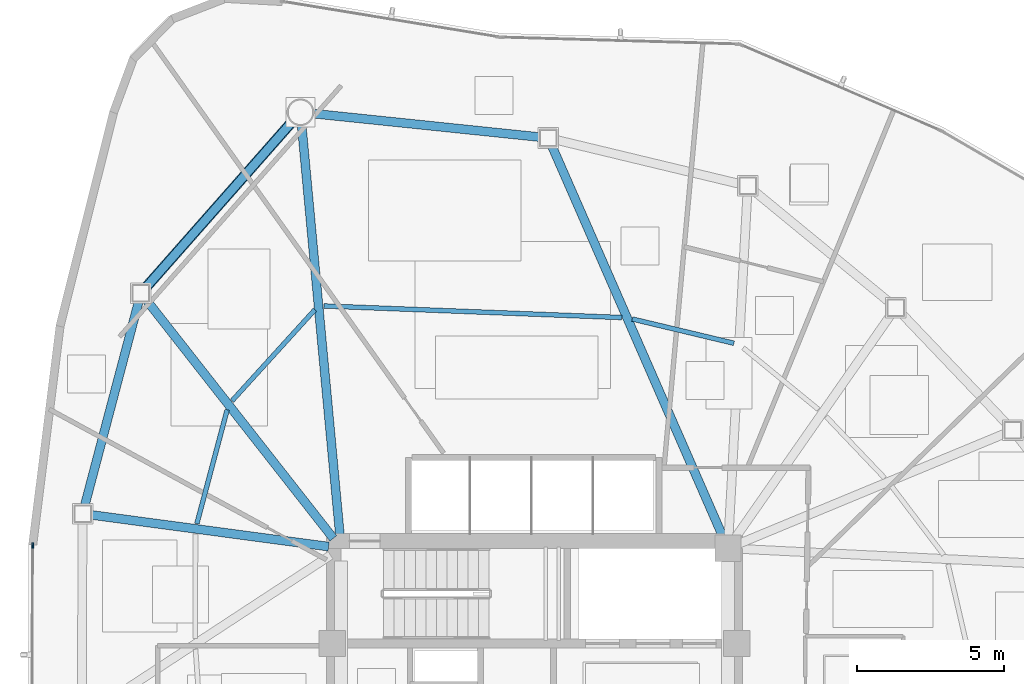
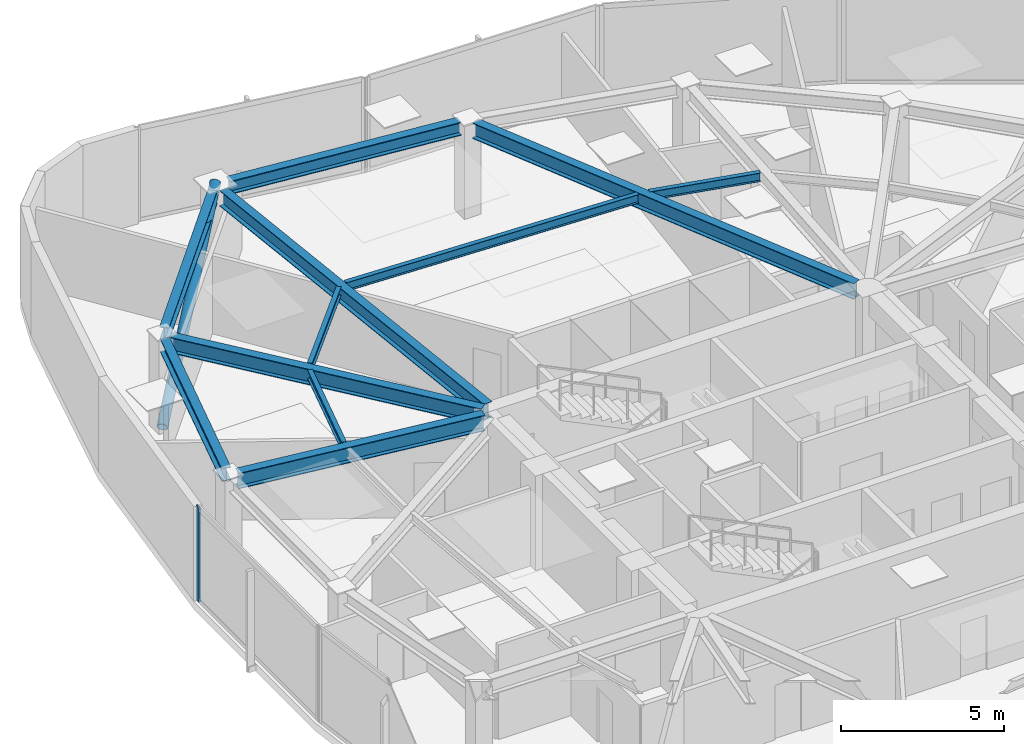
# One storey, part 7 of 18: 11 beams, 2 members, 1 element without a shape of its own.
"""IFC4 building model written with IfcOpenShell, lengths in metres."""

from ifc_helpers import new_model, si_unit, direction, frame, origin, origin_2d, place, context, subcontext, project, spatial, hollow_rectangle, hollow_circle, i_section, extrude, source, transform, mapped, material, layer, layer_set, material_profile, profile_set, type_object, type_shapes, element, aggregate, save


model = new_model("IFC4")

# Units and contexts
model_context = context("Model", 3, precision=1e-05, world=origin(), true_north=direction((0.0, 1.0)))
body_context = subcontext(model_context, "Body", "Model", "MODEL_VIEW")
ifc_project = project(units=[si_unit("LENGTHUNIT", "METRE"), si_unit("AREAUNIT", "SQUARE_METRE"), si_unit("VOLUMEUNIT", "CUBIC_METRE"), si_unit("PLANEANGLEUNIT", "RADIAN"), si_unit("MASSUNIT", "GRAM", prefix="KILO")], contexts=[model_context])

# Site, building, storey
site_placement = place(None, origin())
site = spatial("IfcSite", under=ifc_project, at=site_placement, CompositionType="ELEMENT")
building_placement = place(site_placement, origin())
building = spatial("IfcBuilding", under=site, at=building_placement, Name="Tavelor Broadcast Tower", CompositionType="ELEMENT")
storey_placement = place(building_placement, frame((0.0, 0.0, 173.35009765625)))
storey = spatial("IfcBuildingStorey", under=building, at=storey_placement, Name="L41", CompositionType="ELEMENT", Elevation=173.35009765625)

# Beams
ifc_material_1 = material(Name="Steel S355", Category="steel")
ifc_material_profile_1 = material_profile(ifc_material_1, i_section(OverallWidth=0.159912109375, OverallDepth=0.330078125, WebThickness=0.007568359375, FlangeThickness=0.011474609375, at=origin_2d()), Name="IPE 330")
ifc_profile_set_1 = profile_set([ifc_material_profile_1], Name="Steel S355")
beam_type_1 = type_object("IfcBeamType", Name="Composite Floor Joist T4 IPE 330", PredefinedType="JOIST", material=ifc_profile_set_1)
beam_1_placement = place(storey_placement, frame((42.505615234375, 59.343505859375, 3.385009765625), z_axis=(-0.672852052716, -0.739777071256, 0.0), x_axis=(0.739777071256, -0.672852052716, 0.0)))
element("IfcBeam", 1, at=beam_1_placement, inside=storey, type_object=beam_type_1, Name="L41 Secondary Composite Floor Joist 01", PredefinedType="JOIST", context=body_context, shape_type="SweptSolid", body=[
    extrude(i_section(OverallWidth=0.159912109375, OverallDepth=0.330078125, WebThickness=0.007568359375, FlangeThickness=0.011474609375, at=origin_2d()), origin(), (0.0, 0.0, 1.0), 4.202392578125),
])
beam_2_placement = place(storey_placement, frame((39.509521484375, 55.92578125, 3.385009765625), z_axis=(-0.256963595852, -0.966421083383, 0.0), x_axis=(0.966421083383, -0.256963595852, 0.0)))
element("IfcBeam", 2, at=beam_2_placement, inside=storey, type_object=beam_type_1, Name="L41 Secondary Composite Floor Joist 02", PredefinedType="JOIST", context=body_context, shape_type="SweptSolid", body=[
    extrude(i_section(OverallWidth=0.159912109375, OverallDepth=0.330078125, WebThickness=0.007568359375, FlangeThickness=0.011474609375, at=origin_2d()), origin(), (0.0, 0.0, 1.0), 4.021728515625),
])
beam_3_placement = place(storey_placement, frame((56.804443359375, 58.197021484375, 3.385009765625), z_axis=(-0.972674676245, 0.232172294196, 0.0), x_axis=(-0.232172294196, -0.972674676245, 0.0)))
element("IfcBeam", 3, at=beam_3_placement, inside=storey, type_object=beam_type_1, Name="L41 Secondary Composite Floor Joist 17", PredefinedType="JOIST", context=body_context, shape_type="SweptSolid", body=[
    extrude(i_section(OverallWidth=0.159912109375, OverallDepth=0.330078125, WebThickness=0.007568359375, FlangeThickness=0.011474609375, at=origin_2d()), origin(), (0.0, 0.0, 1.0), 3.56884765625),
])
beam_4_placement = place(storey_placement, frame((52.976318359375, 59.07470703125, 3.385009765625), z_axis=(-0.999243420365, 0.038891989637, 0.0), x_axis=(-0.038891989637, -0.999243420365, 0.0)))
element("IfcBeam", 4, at=beam_4_placement, inside=storey, type_object=beam_type_1, Name="L41 Secondary Composite Floor Joist 18", PredefinedType="JOIST", context=body_context, shape_type="SweptSolid", body=[
    extrude(i_section(OverallWidth=0.159912109375, OverallDepth=0.330078125, WebThickness=0.007568359375, FlangeThickness=0.011474609375, at=origin_2d()), origin(), (0.0, 0.0, 1.0), 10.17578125),
])
ifc_material_profile_2 = material_profile(ifc_material_1, i_section(OverallWidth=0.300048828125, OverallDepth=0.5, WebThickness=0.014404296875, FlangeThickness=0.028076171875, at=origin_2d()), Name="HEB 500")
ifc_profile_set_2 = profile_set([ifc_material_profile_2], Name="Steel S355")
beam_type_2 = type_object("IfcBeamType", Name="Perimeter Spandrel Beam T4 HEB 500", PredefinedType="SPANDREL", material=ifc_profile_set_2)
beam_5_placement = place(storey_placement, frame((41.720947265625, 65.7509765625, 3.2998046875), z_axis=(-0.661625943185, -0.749834055845, 0.0), x_axis=(0.749834055845, -0.661625943185, 0.0)))
element("IfcBeam", 5, at=beam_5_placement, inside=storey, type_object=beam_type_2, Name="L41 Framed-Tube Ring Spandrel 01", PredefinedType="SPANDREL", context=body_context, shape_type="SweptSolid", body=[
    extrude(i_section(OverallWidth=0.300048828125, OverallDepth=0.5, WebThickness=0.014404296875, FlangeThickness=0.028076171875, at=origin_2d()), origin(), (0.0, 0.0, 1.0), 7.500732421875),
])
beam_6_placement = place(storey_placement, frame((36.493896484375, 59.63232421875, 3.2998046875), z_axis=(-0.255762341211, -0.96673968824, 0.0), x_axis=(0.96673968824, -0.255762341211, 0.0)))
element("IfcBeam", 6, at=beam_6_placement, inside=storey, type_object=beam_type_2, Name="L41 Framed-Tube Ring Spandrel 02", PredefinedType="SPANDREL", context=body_context, shape_type="SweptSolid", body=[
    extrude(i_section(OverallWidth=0.300048828125, OverallDepth=0.5, WebThickness=0.014404296875, FlangeThickness=0.028076171875, at=origin_2d()), origin(), (0.0, 0.0, 1.0), 7.214599609375),
])
beam_7_placement = place(storey_placement, frame((50.18603515625, 65.23193359375, 3.2998046875), z_axis=(-0.99466284774, 0.103178579783, 0.0), x_axis=(-0.103178579783, -0.99466284774, 0.0)))
element("IfcBeam", 7, at=beam_7_placement, inside=storey, type_object=beam_type_2, Name="L41 Framed-Tube Ring Spandrel 18", PredefinedType="SPANDREL", context=body_context, shape_type="SweptSolid", body=[
    extrude(i_section(OverallWidth=0.300048828125, OverallDepth=0.5, WebThickness=0.014404296875, FlangeThickness=0.028076171875, at=origin_2d()), origin(), (0.0, 0.0, 1.0), 7.780029296875),
])

# Member
ifc_material_profile_3 = material_profile(ifc_material_1, hollow_circle(Radius=0.177734375, WallThickness=0.01611328125, at=origin_2d()), Name="CHS 355.6x16")
ifc_profile_set_3 = profile_set([ifc_material_profile_3], Name="Steel S355")
member_type_1 = type_object("IfcMemberType", Name="Perimeter Tube Brace T4 CHS 355.6x16", PredefinedType="BRACE", material=ifc_profile_set_3)
member_1_placement = place(storey_placement, frame((36.567626953125, 59.91064453125, 0.0), z_axis=(0.607491147602, 0.688491783644, 0.396148418448), x_axis=(-0.74983872131, 0.661620655681, 0.0)))
element("IfcMember", 8, at=member_1_placement, inside=storey, type_object=member_type_1, Name="L41 Corner Tube Diagonal Brace 1", PredefinedType="BRACE", context=body_context, shape_type="SweptSolid", body=[
    extrude(hollow_circle(Radius=0.177734375, WallThickness=0.01611328125, at=origin_2d()), origin(), (0.0, 0.0, 1.0), 8.960693359375),
])

# Beams
ifc_material_profile_4 = material_profile(ifc_material_1, i_section(OverallWidth=0.300048828125, OverallDepth=0.590087890625, WebThickness=0.012939453125, FlangeThickness=0.02490234375, at=origin_2d()), Name="HEA 600")
ifc_profile_set_4 = profile_set([ifc_material_profile_4], Name="Steel S355")
beam_type_3 = type_object("IfcBeamType", Name="Radial Floor Girder T4 HEA 600", PredefinedType="BEAM", material=ifc_profile_set_4)
beam_8_placement = place(storey_placement, frame((43.35986328125, 51.630126953125, 3.2548828125), z_axis=(-0.092926929372, 0.995672931136, 0.0), x_axis=(-0.995672931136, -0.092926929372, 0.0)))
element("IfcBeam", 9, at=beam_8_placement, inside=storey, type_object=beam_type_3, Name="L41 Radial Primary Floor Girder 01", PredefinedType="BEAM", context=body_context, shape_type="SweptSolid", body=[
    extrude(i_section(OverallWidth=0.300048828125, OverallDepth=0.590087890625, WebThickness=0.012939453125, FlangeThickness=0.02490234375, at=origin_2d()), origin(), (0.0, 0.0, 1.0), 14.073974609375),
])
beam_9_placement = place(storey_placement, frame((43.13330078125, 51.539794921875, 3.2548828125), z_axis=(-0.617155684101, 0.786841065007, 0.0), x_axis=(-0.786841065007, -0.617155684101, 0.0)))
element("IfcBeam", 10, at=beam_9_placement, inside=storey, type_object=beam_type_3, Name="L41 Radial Primary Floor Girder 02", PredefinedType="BEAM", context=body_context, shape_type="SweptSolid", body=[
    extrude(i_section(OverallWidth=0.300048828125, OverallDepth=0.590087890625, WebThickness=0.012939453125, FlangeThickness=0.02490234375, at=origin_2d()), origin(), (0.0, 0.0, 1.0), 10.3505859375),
])
beam_10_placement = place(storey_placement, frame((42.9716796875, 51.257080078125, 3.2548828125), z_axis=(-0.991183810809, 0.132493974169, 0.0), x_axis=(-0.132493974169, -0.991183810809, 0.0)))
element("IfcBeam", 11, at=beam_10_placement, inside=storey, type_object=beam_type_3, Name="L41 Radial Primary Floor Girder 03", PredefinedType="BEAM", context=body_context, shape_type="SweptSolid", body=[
    extrude(i_section(OverallWidth=0.300048828125, OverallDepth=0.590087890625, WebThickness=0.012939453125, FlangeThickness=0.02490234375, at=origin_2d()), origin(), (0.0, 0.0, 1.0), 8.183349609375),
])
beam_11_placement = place(storey_placement, frame((56.4267578125, 51.595703125, 3.2548828125), z_axis=(-0.4008997337, 0.916121937036, 0.0), x_axis=(-0.916121937036, -0.4008997337, 0.0)))
element("IfcBeam", 12, at=beam_11_placement, inside=storey, type_object=beam_type_3, Name="L41 Radial Primary Floor Girder 18", PredefinedType="BEAM", context=body_context, shape_type="SweptSolid", body=[
    extrude(i_section(OverallWidth=0.300048828125, OverallDepth=0.590087890625, WebThickness=0.012939453125, FlangeThickness=0.02490234375, at=origin_2d()), origin(), (0.0, 0.0, 1.0), 14.564453125),
])

# Curtain wall, member
ifc_material_2 = material(Name="Architectural Anodized Aluminium", Category="aluminium")
ifc_layer = layer(ifc_material_2, 0.18994140625)
ifc_layer_set = layer_set([ifc_layer], Name="Architectural Anodized Aluminium")
curtain_wall_type = type_object("IfcCurtainWallType", Name="Tower Mid-Zone Acoustic Curtain Wall CW03", PredefinedType="NOTDEFINED", material=ifc_layer_set)
curtain_wall_placement = place(storey_placement, origin())
curtain_wall = element("IfcCurtainWall", 13, at=curtain_wall_placement, inside=storey, type_object=curtain_wall_type, Name="L41 Curtain Wall CW03 Run 433", PredefinedType="NOTDEFINED")
ifc_material_profile_5 = material_profile(ifc_material_2, hollow_rectangle(XDim=0.068115234375, YDim=0.18994140625, WallThickness=0.02197265625, at=origin_2d()), Name="RHS 68x190x22")
ifc_profile_set_5 = profile_set([ifc_material_profile_5], Name="Architectural Anodized Aluminium")
member_type_2 = type_object("IfcMemberType", Name="CW03 Extruded Aluminium Mullion 68x190", PredefinedType="MULLION", material=ifc_profile_set_5)
shared_shape = source(origin(), body_context, "Body", "SweptSolid", [
    extrude(hollow_rectangle(XDim=0.068115234375, YDim=0.18994140625, WallThickness=0.02197265625, at=origin_2d()), origin(), (0.0, 0.0, 1.0), 3.5498046875),
])
type_shapes(member_type_2, [shared_shape])
member_2_placement = place(storey_placement, frame((32.87158203125, 51.291015625, 0.0), z_axis=(0.0, 0.0, 1.0), x_axis=(0.999995305826, -0.003064037627, 0.0)))
member_2 = element("IfcMember", 14, at=member_2_placement, type_object=member_type_2, Name="CW03 mullion 1", PredefinedType="MULLION", context=body_context, shape_type="MappedRepresentation", body=[
    mapped(shared_shape, transform((0.0, 0.0, 0.0), scale=1.0)),
])
aggregate(curtain_wall, [member_2])

save(model, "model.ifc")
